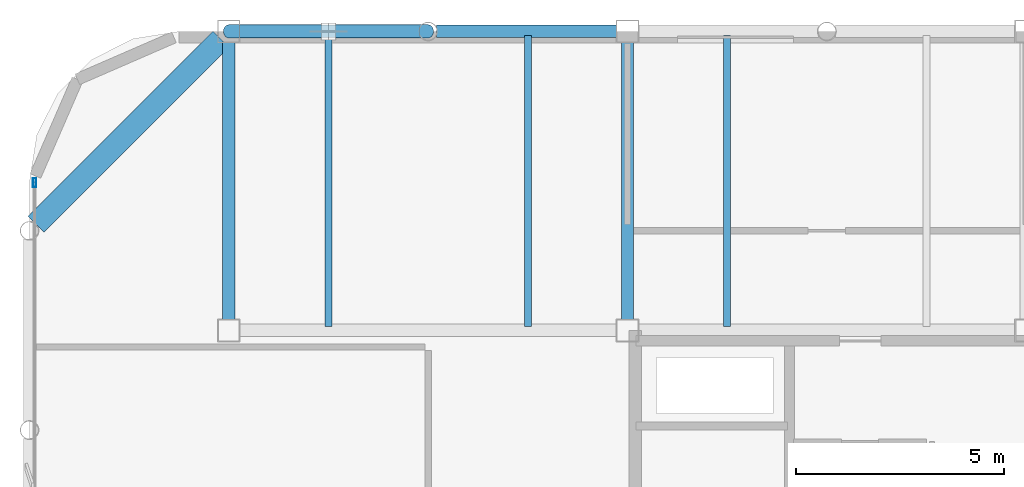
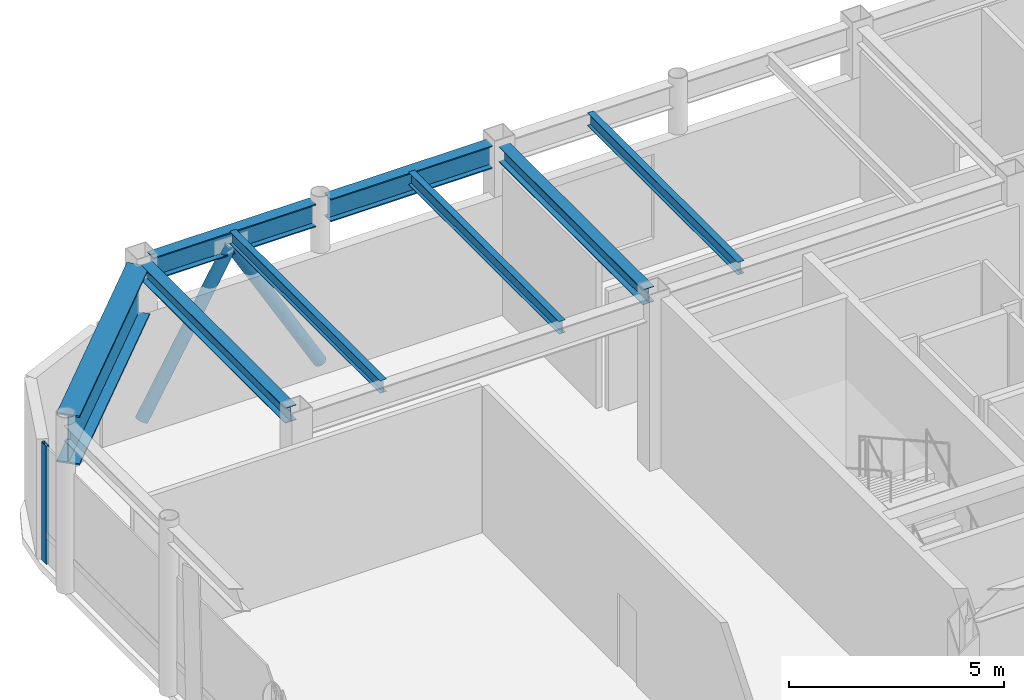
# One storey, part 12 of 21: 8 beams, 3 members, 1 element without a shape of its own.
"""IFC4 building model written with IfcOpenShell, lengths in metres."""

from ifc_helpers import new_model, si_unit, direction, frame, origin, origin_2d, place, context, subcontext, project, spatial, hollow_rectangle, hollow_circle, i_section, extrude, material, layer, layer_set, material_profile, profile_set, type_object, element, aggregate, save


model = new_model("IFC4")

# Units and contexts
model_context = context("Model", 3, precision=1e-05, world=origin(), true_north=direction((0.0, 1.0)))
body_context = subcontext(model_context, "Body", "Model", "MODEL_VIEW")
ifc_project = project(units=[si_unit("LENGTHUNIT", "METRE"), si_unit("AREAUNIT", "SQUARE_METRE"), si_unit("VOLUMEUNIT", "CUBIC_METRE"), si_unit("PLANEANGLEUNIT", "RADIAN"), si_unit("MASSUNIT", "GRAM", prefix="KILO")], contexts=[model_context])

# Site, building, storey
site_placement = place(None, origin())
site = spatial("IfcSite", under=ifc_project, at=site_placement, CompositionType="ELEMENT")
building_placement = place(site_placement, origin())
building = spatial("IfcBuilding", under=site, at=building_placement, Name="Kallvorn Hotel Tower", CompositionType="ELEMENT")
storey_placement = place(building_placement, frame((0.0, 0.0, 290.60009765625)))
storey = spatial("IfcBuildingStorey", under=building, at=storey_placement, Name="L72", CompositionType="ELEMENT", Elevation=290.60009765625)

# Beams
ifc_material_1 = material(Name="Structural steel S355JR", Category="steel")
ifc_material_profile_1 = material_profile(ifc_material_1, i_section(OverallWidth=0.300048828125, OverallDepth=0.43994140625, WebThickness=0.011474609375, FlangeThickness=0.02099609375, at=origin_2d()), Name="HE 450 A")
ifc_profile_set_1 = profile_set([ifc_material_profile_1], Name="Structural steel S355JR")
beam_type_1 = type_object("IfcBeamType", Name="BM_HE450A", PredefinedType="BEAM", material=ifc_profile_set_1)
for number, where, z_axis, x_axis, name in (
    (1, (-24.0, 7.449951171875, 4.579833984375), (0.0, 1.0, 0.0), (-1.0, 0.0, 0.0), "L73 Primary Y-Girder 33"),
    (2, (-14.39990234375, 7.449951171875, 4.579833984375), (0.0, 1.0, 0.0), (-1.0, 0.0, 0.0), "L73 Primary Y-Girder 36"),
):
    element("IfcBeam", number, at=place(storey_placement, frame(where, z_axis=z_axis, x_axis=x_axis)), inside=storey, type_object=beam_type_1, Name=name, PredefinedType="BEAM", context=body_context, shape_type="SweptSolid", body=[
        extrude(i_section(OverallWidth=0.300048828125, OverallDepth=0.43994140625, WebThickness=0.011474609375, FlangeThickness=0.02099609375, at=origin_2d()), origin(), (0.0, 0.0, 1.0), 6.699951171875),
    ])
ifc_material_2 = material(Name="Structural steel S355JR", Category="steel")
ifc_material_profile_2 = material_profile(ifc_material_2, i_section(OverallWidth=0.300048828125, OverallDepth=0.64990234375, WebThickness=0.01611328125, FlangeThickness=0.031005859375, at=origin_2d()), Name="HE 650 B")
ifc_profile_set_2 = profile_set([ifc_material_profile_2], Name="Structural steel S355JR")
beam_type_2 = type_object("IfcBeamType", Name="BM_HE650B", PredefinedType="BEAM", material=ifc_profile_set_2)
beam_1_placement = place(storey_placement, frame((-23.75, 14.39990234375, 4.474853515625), z_axis=(1.0, 0.0, 0.0), x_axis=(0.0, 1.0, 0.0)))
element("IfcBeam", 3, at=beam_1_placement, inside=storey, type_object=beam_type_2, Name="L73 Primary X-Girder 16", PredefinedType="BEAM", context=body_context, shape_type="SweptSolid", body=[
    extrude(i_section(OverallWidth=0.300048828125, OverallDepth=0.64990234375, WebThickness=0.01611328125, FlangeThickness=0.031005859375, at=origin_2d()), origin(), (0.0, 0.0, 1.0), 4.346435546875),
])
beam_2_placement = place(storey_placement, frame((-18.99658203125, 14.39990234375, 4.474853515625), z_axis=(1.0, 0.0, 0.0), x_axis=(0.0, 1.0, 0.0)))
element("IfcBeam", 4, at=beam_2_placement, inside=storey, type_object=beam_type_2, Name="L73 Primary X-Girder 17", PredefinedType="BEAM", context=body_context, shape_type="SweptSolid", body=[
    extrude(i_section(OverallWidth=0.300048828125, OverallDepth=0.64990234375, WebThickness=0.01611328125, FlangeThickness=0.031005859375, at=origin_2d()), origin(), (0.0, 0.0, 1.0), 4.3466796875),
])
ifc_material_3 = material(Name="Structural steel S355JR", Category="steel")
ifc_material_profile_3 = material_profile(ifc_material_3, i_section(OverallWidth=0.169921875, OverallDepth=0.360107421875, WebThickness=0.008056640625, FlangeThickness=0.0126953125, at=origin_2d()), Name="IPE 360")
ifc_profile_set_3 = profile_set([ifc_material_profile_3], Name="Structural steel S355JR")
beam_type_3 = type_object("IfcBeamType", Name="BM_IPE360", PredefinedType="JOIST", material=ifc_profile_set_3)
for number, where, z_axis, x_axis, name in (
    (5, (-21.60009765625, 7.300048828125, 4.619873046875), (0.0, 1.0, 0.0), (-1.0, 0.0, 0.0), "L73 Secondary Composite Joist 91"),
    (6, (-16.800048828125, 7.300048828125, 4.619873046875), (0.0, 1.0, 0.0), (-1.0, 0.0, 0.0), "L73 Secondary Composite Joist 93"),
    (7, (-12.0, 7.300048828125, 4.619873046875), (0.0, 1.0, 0.0), (-1.0, 0.0, 0.0), "L73 Secondary Composite Joist 95"),
):
    element("IfcBeam", number, at=place(storey_placement, frame(where, z_axis=z_axis, x_axis=x_axis)), inside=storey, type_object=beam_type_3, Name=name, PredefinedType="JOIST", context=body_context, shape_type="SweptSolid", body=[
        extrude(i_section(OverallWidth=0.169921875, OverallDepth=0.360107421875, WebThickness=0.008056640625, FlangeThickness=0.0126953125, at=origin_2d()), origin(), (0.0, 0.0, 1.0), 7.0),
    ])
ifc_material_4 = material(Name="Structural steel S355JR", Category="steel")
ifc_material_profile_4 = material_profile(ifc_material_4, i_section(OverallWidth=0.550048828125, OverallDepth=1.39990234375, WebThickness=0.02490234375, FlangeThickness=0.044921875, at=origin_2d()), Name="PG 1400x550x25x45")
ifc_profile_set_4 = profile_set([ifc_material_profile_4], Name="Structural steel S355JR")
beam_type_4 = type_object("IfcBeamType", Name="BM_PG_1400", PredefinedType="BEAM", material=ifc_profile_set_4)
beam_3_placement = place(storey_placement, frame((-28.6455078125, 9.75439453125, 4.099853515625), z_axis=(0.707087419273, 0.70712614257, 0.0), x_axis=(-0.70712614257, 0.707087419273, 0.0)))
element("IfcBeam", 8, at=beam_3_placement, inside=storey, type_object=beam_type_4, Name="L73 Rounded Corner Tie Beam 87", PredefinedType="BEAM", context=body_context, shape_type="SweptSolid", body=[
    extrude(i_section(OverallWidth=0.550048828125, OverallDepth=1.39990234375, WebThickness=0.02490234375, FlangeThickness=0.044921875, at=origin_2d()), origin(), (0.0, 0.0, 1.0), 6.3046875),
])

# Curtain wall, member
ifc_material_5 = material(Name="Thermally broken black-anodised aluminium AA 6063-T6", Category="aluminium")
ifc_layer = layer(ifc_material_5, 0.25)
ifc_layer_set = layer_set([ifc_layer], Name="CW_SYS_6_SUMMIT_OBS")
curtain_wall_type = type_object("IfcCurtainWallType", Name="CW_SYS_6_SUMMIT_OBS", PredefinedType="USERDEFINED", material=ifc_layer_set)
curtain_wall_placement = place(storey_placement, origin())
curtain_wall = element("IfcCurtainWall", 9, at=curtain_wall_placement, inside=storey, type_object=curtain_wall_type, Name="L72 Dark-Glass Curtain Wall CW-L72-WN", ObjectType="UNITISED CURTAIN WALL", PredefinedType="USERDEFINED")
ifc_material_6 = material(Name="Thermally broken black-anodised aluminium AA 6063-T6", Category="aluminium")
ifc_material_profile_5 = material_profile(ifc_material_6, hollow_rectangle(XDim=0.080078125, YDim=0.219970703125, WallThickness=0.0048828125, at=origin_2d()), Name="MUL 220x80")
ifc_profile_set_5 = profile_set([ifc_material_profile_5], Name="Thermally broken black-anodised aluminium AA 6063-T6")
member_type_1 = type_object("IfcMemberType", Name="CW_MULLION_220x80", PredefinedType="MULLION", material=ifc_profile_set_5)
member_1_placement = place(storey_placement, frame((-28.679931640625, 10.760009765625, 0.02001953125), z_axis=(0.0, 0.0, 1.0), x_axis=(1.0, 0.0, 0.0)))
member_1 = element("IfcMember", 10, at=member_1_placement, type_object=member_type_1, Name="CW-L72-WN Mullion 01", PredefinedType="MULLION", context=body_context, shape_type="SweptSolid", body=[
    extrude(hollow_rectangle(XDim=0.080078125, YDim=0.219970703125, WallThickness=0.0048828125, at=origin_2d()), origin(), (0.0, 0.0, 1.0), 3.35986328125),
])
aggregate(curtain_wall, [member_1])

# Members
ifc_material_7 = material(Name="Structural steel S355J2H", Category="steel")
ifc_material_profile_6 = material_profile(ifc_material_7, hollow_circle(Radius=0.161865234375, WallThickness=0.012451171875, at=origin_2d()), Name="CHS 323.9x12.5")
ifc_profile_set_6 = profile_set([ifc_material_profile_6], Name="Structural steel S355J2H")
member_type_2 = type_object("IfcMemberType", Name="MBR_EXO_CHS323", PredefinedType="BRACE", material=ifc_profile_set_6)
member_2_placement = place(storey_placement, frame((-23.989990234375, 14.39990234375, 0.197265625), z_axis=(0.499712098434, 0.0, 0.866191560037), x_axis=(0.0, 1.0, 0.0)))
element("IfcMember", 11, at=member_2_placement, inside=storey, type_object=member_type_2, Name="L72 Exoskeleton K-Brace N1A", PredefinedType="BRACE", context=body_context, shape_type="SweptSolid", body=[
    extrude(hollow_circle(Radius=0.161865234375, WallThickness=0.012451171875, at=origin_2d()), origin(), (0.0, 0.0, 1.0), 4.762451171875),
])
member_3_placement = place(storey_placement, frame((-19.2099609375, 14.39990234375, 0.197265625), z_axis=(-0.499750558989, 0.0, 0.866169370729), x_axis=(0.0, -1.0, 0.0)))
element("IfcMember", 12, at=member_3_placement, inside=storey, type_object=member_type_2, Name="L72 Exoskeleton K-Brace N1B", PredefinedType="BRACE", context=body_context, shape_type="SweptSolid", body=[
    extrude(hollow_circle(Radius=0.161865234375, WallThickness=0.012451171875, at=origin_2d()), origin(), (0.0, 0.0, 1.0), 4.7626953125),
])

save(model, "model.ifc")
